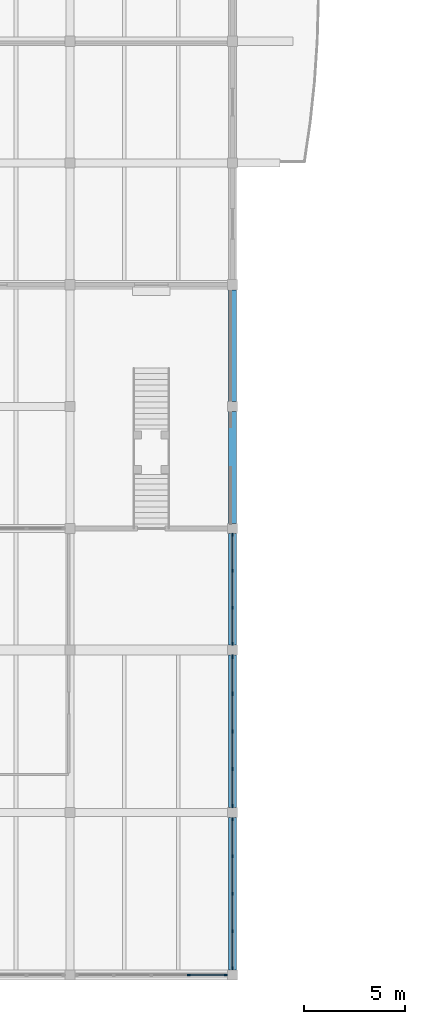
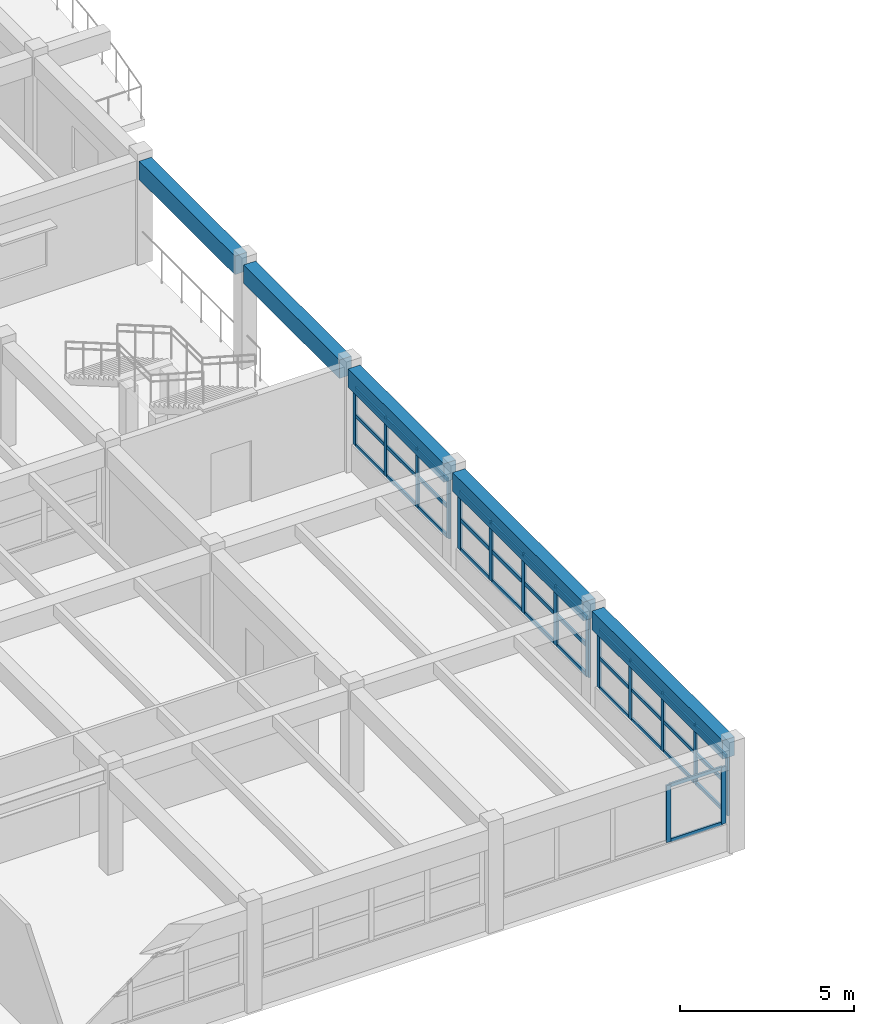
# One storey, part 8 of 89: 51 members, 5 beams, 4 elements without a shape of their own.
"""IFC4 building model written with IfcOpenShell, lengths in metres."""

from ifc_helpers import new_model, si_unit, direction, frame, origin, origin_2d, place, context, subcontext, project, spatial, rectangle, extrude, material, layer, layer_set, material_profile, profile_set, type_object, element, aggregate, save


model = new_model("IFC4")

# Units and contexts
model_context = context("Model", 3, precision=1e-05, world=origin(), true_north=direction((0.0, 1.0)))
body_context = subcontext(model_context, "Body", "Model", "MODEL_VIEW")
ifc_project = project(units=[si_unit("LENGTHUNIT", "METRE"), si_unit("AREAUNIT", "SQUARE_METRE"), si_unit("VOLUMEUNIT", "CUBIC_METRE"), si_unit("PLANEANGLEUNIT", "RADIAN"), si_unit("MASSUNIT", "GRAM", prefix="KILO")], contexts=[model_context])

# Site, building, storey
site_placement = place(None, origin())
site = spatial("IfcSite", under=ifc_project, at=site_placement, CompositionType="ELEMENT")
building_placement = place(site_placement, origin())
building = spatial("IfcBuilding", under=site, at=building_placement, Name="Tonlespit Floodbar School", CompositionType="ELEMENT")
storey_placement = place(building_placement, frame((0.0, 0.0, 4.5)))
storey = spatial("IfcBuildingStorey", under=building, at=storey_placement, Name="L01", CompositionType="ELEMENT", Elevation=4.5)

# Beams
ifc_material_1 = material(Name="Concrete C40/50", Category="concrete")
ifc_material_profile_1 = material_profile(ifc_material_1, rectangle(XDim=0.39990234375, YDim=0.64990234375, at=origin_2d()), Name="RC 400x650")
ifc_profile_set_1 = profile_set([ifc_material_profile_1], Name="Concrete C40/50")
beam_type = type_object("IfcBeamType", Name="Beam_RC_400x650", PredefinedType="BEAM", material=ifc_profile_set_1)
for number, where, z_axis, x_axis, name in (
    (1, (36.0, 4.25, 3.322998046875), (0.0, 1.0, 0.0), (-1.0, 0.0, 0.0), "L01 girder 0712"),
    (2, (36.0, 12.25, 3.322998046875), (0.0, 1.0, 0.0), (-1.0, 0.0, 0.0), "L01 girder 0713"),
):
    element("IfcBeam", number, at=place(storey_placement, frame(where, z_axis=z_axis, x_axis=x_axis)), inside=storey, type_object=beam_type, Name=name, PredefinedType="BEAM", context=body_context, shape_type="SweptSolid", body=[
        extrude(rectangle(XDim=0.39990234375, YDim=0.64990234375, at=origin_2d()), origin(), (0.0, 0.0, 1.0), 7.5),
    ])
for number, where, z_axis, x_axis, name in (
    (3, (36.0, 20.25, 3.322998046875), (0.0, 1.0, 0.0), (-1.0, 0.0, 0.0), "L01 girder 0714"),
    (4, (36.0, 26.25, 3.324951171875), (0.0, 1.0, 0.0), (-1.0, 0.0, 0.0), "L01 girder 0715"),
    (5, (36.0, 32.25, 3.324951171875), (0.0, 1.0, 0.0), (-1.0, 0.0, 0.0), "L01 girder 0716"),
):
    element("IfcBeam", number, at=place(storey_placement, frame(where, z_axis=z_axis, x_axis=x_axis)), inside=storey, type_object=beam_type, Name=name, PredefinedType="BEAM", context=body_context, shape_type="SweptSolid", body=[
        extrude(rectangle(XDim=0.39990234375, YDim=0.64990234375, at=origin_2d()), origin(), (0.0, 0.0, 1.0), 5.5),
    ])

# Curtain wall, members
ifc_material_2 = material(Name="Anodised Aluminium", Category="aluminium")
ifc_layer_1 = layer(ifc_material_2, 0.159912109375)
ifc_layer_set_1 = layer_set([ifc_layer_1], Name="Anodised Aluminium")
curtain_wall_type_1 = type_object("IfcCurtainWallType", Name="CurtainWall_7400x2000", PredefinedType="NOTDEFINED", material=ifc_layer_set_1)
curtain_wall_1_placement = place(storey_placement, origin())
curtain_wall_1 = element("IfcCurtainWall", 6, at=curtain_wall_1_placement, inside=storey, type_object=curtain_wall_type_1, Name="L01 unitised curtain wall 0518", PredefinedType="NOTDEFINED")
ifc_material_profile_2 = material_profile(ifc_material_2, rectangle(XDim=0.06494140625, YDim=0.14990234375, at=origin_2d()), Name="ALU M65x150")
ifc_profile_set_2 = profile_set([ifc_material_profile_2], Name="Anodised Aluminium")
member_type_1 = type_object("IfcMemberType", Name="CW_Mullion_65x150", PredefinedType="MULLION", material=ifc_profile_set_2)
member_1_placement = place(storey_placement, frame((35.677490234375, 4.0, 0.949951171875), z_axis=(0.0, 0.0, 1.0), x_axis=(0.0, -1.0, 0.0)))
member_1 = element("IfcMember", 7, at=member_1_placement, type_object=member_type_1, Name="CW-60 mullion 1", PredefinedType="MULLION", context=body_context, shape_type="SweptSolid", body=[
    extrude(rectangle(XDim=0.06494140625, YDim=0.14990234375, at=origin_2d()), origin(), (0.0, 0.0, 1.0), 1.998046875),
])
member_2_placement = place(storey_placement, frame((33.85498046875, 4.0, 0.949951171875), z_axis=(0.0, 0.0, 1.0), x_axis=(0.0, -1.0, 0.0)))
member_2 = element("IfcMember", 8, at=member_2_placement, type_object=member_type_1, Name="CW-60 mullion 2", PredefinedType="MULLION", context=body_context, shape_type="SweptSolid", body=[
    extrude(rectangle(XDim=0.06494140625, YDim=0.14990234375, at=origin_2d()), origin(), (0.0, 0.0, 1.0), 1.998046875),
])

ifc_layer_2 = layer(ifc_material_2, 0.159912109375)
ifc_layer_set_2 = layer_set([ifc_layer_2], Name="Anodised Aluminium")
curtain_wall_type_2 = type_object("IfcCurtainWallType", Name="CurtainWall_5400x2050", PredefinedType="NOTDEFINED", material=ifc_layer_set_2)
curtain_wall_2_placement = place(storey_placement, origin())
curtain_wall_2 = element("IfcCurtainWall", 9, at=curtain_wall_2_placement, inside=storey, type_object=curtain_wall_type_2, Name="L01 unitised curtain wall 0522", PredefinedType="NOTDEFINED")
member_3_placement = place(storey_placement, frame((36.0, 25.677490234375, 0.949951171875), z_axis=(0.0, 0.0, 1.0), x_axis=(1.0, 0.0, 0.0)))
member_3 = element("IfcMember", 10, at=member_3_placement, type_object=member_type_1, Name="CW-84 mullion 1", PredefinedType="MULLION", context=body_context, shape_type="SweptSolid", body=[
    extrude(rectangle(XDim=0.06494140625, YDim=0.14990234375, at=origin_2d()), origin(), (0.0, 0.0, 1.0), 2.048095703125),
])
member_4_placement = place(storey_placement, frame((36.0, 23.9033203125, 0.949951171875), z_axis=(0.0, 0.0, 1.0), x_axis=(1.0, 0.0, 0.0)))
member_4 = element("IfcMember", 11, at=member_4_placement, type_object=member_type_1, Name="CW-84 mullion 2", PredefinedType="MULLION", context=body_context, shape_type="SweptSolid", body=[
    extrude(rectangle(XDim=0.06494140625, YDim=0.14990234375, at=origin_2d()), origin(), (0.0, 0.0, 1.0), 2.048095703125),
])
member_5_placement = place(storey_placement, frame((36.0, 22.0966796875, 0.949951171875), z_axis=(0.0, 0.0, 1.0), x_axis=(1.0, 0.0, 0.0)))
member_5 = element("IfcMember", 12, at=member_5_placement, type_object=member_type_1, Name="CW-84 mullion 3", PredefinedType="MULLION", context=body_context, shape_type="SweptSolid", body=[
    extrude(rectangle(XDim=0.06494140625, YDim=0.14990234375, at=origin_2d()), origin(), (0.0, 0.0, 1.0), 2.048095703125),
])
member_6_placement = place(storey_placement, frame((36.0, 20.322509765625, 0.949951171875), z_axis=(0.0, 0.0, 1.0), x_axis=(1.0, 0.0, 0.0)))
member_6 = element("IfcMember", 13, at=member_6_placement, type_object=member_type_1, Name="CW-84 mullion 4", PredefinedType="MULLION", context=body_context, shape_type="SweptSolid", body=[
    extrude(rectangle(XDim=0.06494140625, YDim=0.14990234375, at=origin_2d()), origin(), (0.0, 0.0, 1.0), 2.048095703125),
])

ifc_layer_3 = layer(ifc_material_2, 0.159912109375)
ifc_layer_set_3 = layer_set([ifc_layer_3], Name="Anodised Aluminium")
curtain_wall_type_3 = type_object("IfcCurtainWallType", Name="CurtainWall_7400x2050", PredefinedType="NOTDEFINED", material=ifc_layer_set_3)
curtain_wall_3_placement = place(storey_placement, origin())
curtain_wall_3 = element("IfcCurtainWall", 14, at=curtain_wall_3_placement, inside=storey, type_object=curtain_wall_type_3, Name="L01 unitised curtain wall 0524", PredefinedType="NOTDEFINED")
member_7_placement = place(storey_placement, frame((36.0, 11.677490234375, 0.949951171875), z_axis=(0.0, 0.0, 1.0), x_axis=(1.0, 0.0, 0.0)))
member_7 = element("IfcMember", 15, at=member_7_placement, type_object=member_type_1, Name="CW-36 mullion 1", PredefinedType="MULLION", context=body_context, shape_type="SweptSolid", body=[
    extrude(rectangle(XDim=0.06494140625, YDim=0.14990234375, at=origin_2d()), origin(), (0.0, 0.0, 1.0), 2.048095703125),
])
member_8_placement = place(storey_placement, frame((36.0, 9.85498046875, 0.949951171875), z_axis=(0.0, 0.0, 1.0), x_axis=(1.0, 0.0, 0.0)))
member_8 = element("IfcMember", 16, at=member_8_placement, type_object=member_type_1, Name="CW-36 mullion 2", PredefinedType="MULLION", context=body_context, shape_type="SweptSolid", body=[
    extrude(rectangle(XDim=0.06494140625, YDim=0.14990234375, at=origin_2d()), origin(), (0.0, 0.0, 1.0), 2.048095703125),
])
member_9_placement = place(storey_placement, frame((36.0, 8.0, 0.949951171875), z_axis=(0.0, 0.0, 1.0), x_axis=(1.0, 0.0, 0.0)))
member_9 = element("IfcMember", 17, at=member_9_placement, type_object=member_type_1, Name="CW-36 mullion 3", PredefinedType="MULLION", context=body_context, shape_type="SweptSolid", body=[
    extrude(rectangle(XDim=0.06494140625, YDim=0.14990234375, at=origin_2d()), origin(), (0.0, 0.0, 1.0), 2.048095703125),
])
member_10_placement = place(storey_placement, frame((36.0, 6.14501953125, 0.949951171875), z_axis=(0.0, 0.0, 1.0), x_axis=(1.0, 0.0, 0.0)))
member_10 = element("IfcMember", 18, at=member_10_placement, type_object=member_type_1, Name="CW-36 mullion 4", PredefinedType="MULLION", context=body_context, shape_type="SweptSolid", body=[
    extrude(rectangle(XDim=0.06494140625, YDim=0.14990234375, at=origin_2d()), origin(), (0.0, 0.0, 1.0), 2.048095703125),
])
member_11_placement = place(storey_placement, frame((36.0, 4.322509765625, 0.949951171875), z_axis=(0.0, 0.0, 1.0), x_axis=(1.0, 0.0, 0.0)))
member_11 = element("IfcMember", 19, at=member_11_placement, type_object=member_type_1, Name="CW-36 mullion 5", PredefinedType="MULLION", context=body_context, shape_type="SweptSolid", body=[
    extrude(rectangle(XDim=0.06494140625, YDim=0.14990234375, at=origin_2d()), origin(), (0.0, 0.0, 1.0), 2.048095703125),
])

curtain_wall_4_placement = place(storey_placement, origin())
curtain_wall_4 = element("IfcCurtainWall", 20, at=curtain_wall_4_placement, inside=storey, type_object=curtain_wall_type_3, Name="L01 unitised curtain wall 0523", PredefinedType="NOTDEFINED")
ifc_material_profile_3 = material_profile(ifc_material_2, rectangle(XDim=0.06494140625, YDim=0.179931640625, at=origin_2d()), Name="ALU M65x180")
ifc_profile_set_3 = profile_set([ifc_material_profile_3], Name="Anodised Aluminium")
member_type_2 = type_object("IfcMemberType", Name="CW_Mullion_65x180", PredefinedType="MULLION", material=ifc_profile_set_3)
member_12_placement = place(storey_placement, frame((36.0, 19.677490234375, 0.949951171875), z_axis=(0.0, 0.0, 1.0), x_axis=(1.0, 0.0, 0.0)))
member_12 = element("IfcMember", 21, at=member_12_placement, type_object=member_type_2, Name="CW-36 mullion 1", PredefinedType="MULLION", context=body_context, shape_type="SweptSolid", body=[
    extrude(rectangle(XDim=0.06494140625, YDim=0.179931640625, at=origin_2d()), origin(), (0.0, 0.0, 1.0), 2.048095703125),
])
member_13_placement = place(storey_placement, frame((36.0, 17.85498046875, 0.949951171875), z_axis=(0.0, 0.0, 1.0), x_axis=(1.0, 0.0, 0.0)))
member_13 = element("IfcMember", 22, at=member_13_placement, type_object=member_type_2, Name="CW-36 mullion 2", PredefinedType="MULLION", context=body_context, shape_type="SweptSolid", body=[
    extrude(rectangle(XDim=0.06494140625, YDim=0.179931640625, at=origin_2d()), origin(), (0.0, 0.0, 1.0), 2.048095703125),
])
member_14_placement = place(storey_placement, frame((36.0, 16.0, 0.949951171875), z_axis=(0.0, 0.0, 1.0), x_axis=(1.0, 0.0, 0.0)))
member_14 = element("IfcMember", 23, at=member_14_placement, type_object=member_type_2, Name="CW-36 mullion 3", PredefinedType="MULLION", context=body_context, shape_type="SweptSolid", body=[
    extrude(rectangle(XDim=0.06494140625, YDim=0.179931640625, at=origin_2d()), origin(), (0.0, 0.0, 1.0), 2.048095703125),
])
member_15_placement = place(storey_placement, frame((36.0, 14.14501953125, 0.949951171875), z_axis=(0.0, 0.0, 1.0), x_axis=(1.0, 0.0, 0.0)))
member_15 = element("IfcMember", 24, at=member_15_placement, type_object=member_type_2, Name="CW-36 mullion 4", PredefinedType="MULLION", context=body_context, shape_type="SweptSolid", body=[
    extrude(rectangle(XDim=0.06494140625, YDim=0.179931640625, at=origin_2d()), origin(), (0.0, 0.0, 1.0), 2.048095703125),
])
member_16_placement = place(storey_placement, frame((36.0, 12.322509765625, 0.949951171875), z_axis=(0.0, 0.0, 1.0), x_axis=(1.0, 0.0, 0.0)))
member_16 = element("IfcMember", 25, at=member_16_placement, type_object=member_type_2, Name="CW-36 mullion 5", PredefinedType="MULLION", context=body_context, shape_type="SweptSolid", body=[
    extrude(rectangle(XDim=0.06494140625, YDim=0.179931640625, at=origin_2d()), origin(), (0.0, 0.0, 1.0), 2.048095703125),
])

# Member
ifc_material_profile_4 = material_profile(ifc_material_2, rectangle(XDim=0.06494140625, YDim=0.1201171875, at=origin_2d()), Name="ALU T65x120")
ifc_profile_set_4 = profile_set([ifc_material_profile_4], Name="Anodised Aluminium")
member_type_3 = type_object("IfcMemberType", Name="CW_Transom_65x120", PredefinedType="USERDEFINED", material=ifc_profile_set_4)
member_17_placement = place(storey_placement, frame((35.64501953125, 4.0, 0.982421875), z_axis=(-1.0, 0.0, 0.0), x_axis=(0.0, -1.0, 0.0)))
member_17 = element("IfcMember", 26, at=member_17_placement, type_object=member_type_3, Name="CW-60 transom 1.1", ObjectType="TRANSOM", PredefinedType="USERDEFINED", context=body_context, shape_type="SweptSolid", body=[
    extrude(rectangle(XDim=0.06494140625, YDim=0.1201171875, at=origin_2d()), origin(), (0.0, 0.0, 1.0), 1.757568359375),
])

member_18_placement = place(storey_placement, frame((35.64501953125, 4.0, 2.91552734375), z_axis=(-1.0, 0.0, 0.0), x_axis=(0.0, -1.0, 0.0)))
member_18 = element("IfcMember", 27, at=member_18_placement, type_object=member_type_3, Name="CW-60 transom 1.2", ObjectType="TRANSOM", PredefinedType="USERDEFINED", context=body_context, shape_type="SweptSolid", body=[
    extrude(rectangle(XDim=0.06494140625, YDim=0.1201171875, at=origin_2d()), origin(), (0.0, 0.0, 1.0), 1.757568359375),
])

aggregate(curtain_wall_1, [member_1, member_2, member_17, member_18])

member_19_placement = place(storey_placement, frame((36.0, 25.64501953125, 0.982421875), z_axis=(0.0, -1.0, 0.0), x_axis=(1.0, 0.0, 0.0)))
member_19 = element("IfcMember", 28, at=member_19_placement, type_object=member_type_3, Name="CW-84 transom 1.1", ObjectType="TRANSOM", PredefinedType="USERDEFINED", context=body_context, shape_type="SweptSolid", body=[
    extrude(rectangle(XDim=0.06494140625, YDim=0.1201171875, at=origin_2d()), origin(), (0.0, 0.0, 1.0), 1.709228515625),
])

member_20_placement = place(storey_placement, frame((36.0, 25.64501953125, 2.014892578125), z_axis=(0.0, -1.0, 0.0), x_axis=(1.0, 0.0, 0.0)))
member_20 = element("IfcMember", 29, at=member_20_placement, type_object=member_type_3, Name="CW-84 transom 1.2", ObjectType="TRANSOM", PredefinedType="USERDEFINED", context=body_context, shape_type="SweptSolid", body=[
    extrude(rectangle(XDim=0.06494140625, YDim=0.1201171875, at=origin_2d()), origin(), (0.0, 0.0, 1.0), 1.709228515625),
])

member_21_placement = place(storey_placement, frame((36.0, 25.64501953125, 2.965576171875), z_axis=(0.0, -1.0, 0.0), x_axis=(1.0, 0.0, 0.0)))
member_21 = element("IfcMember", 30, at=member_21_placement, type_object=member_type_3, Name="CW-84 transom 1.3", ObjectType="TRANSOM", PredefinedType="USERDEFINED", context=body_context, shape_type="SweptSolid", body=[
    extrude(rectangle(XDim=0.06494140625, YDim=0.1201171875, at=origin_2d()), origin(), (0.0, 0.0, 1.0), 1.709228515625),
])

member_22_placement = place(storey_placement, frame((36.0, 23.870849609375, 0.982421875), z_axis=(0.0, -1.0, 0.0), x_axis=(1.0, 0.0, 0.0)))
member_22 = element("IfcMember", 31, at=member_22_placement, type_object=member_type_3, Name="CW-84 transom 2.1", ObjectType="TRANSOM", PredefinedType="USERDEFINED", context=body_context, shape_type="SweptSolid", body=[
    extrude(rectangle(XDim=0.06494140625, YDim=0.1201171875, at=origin_2d()), origin(), (0.0, 0.0, 1.0), 1.74169921875),
])

member_23_placement = place(storey_placement, frame((36.0, 23.870849609375, 2.014892578125), z_axis=(0.0, -1.0, 0.0), x_axis=(1.0, 0.0, 0.0)))
member_23 = element("IfcMember", 32, at=member_23_placement, type_object=member_type_3, Name="CW-84 transom 2.2", ObjectType="TRANSOM", PredefinedType="USERDEFINED", context=body_context, shape_type="SweptSolid", body=[
    extrude(rectangle(XDim=0.06494140625, YDim=0.1201171875, at=origin_2d()), origin(), (0.0, 0.0, 1.0), 1.74169921875),
])

member_24_placement = place(storey_placement, frame((36.0, 23.870849609375, 2.965576171875), z_axis=(0.0, -1.0, 0.0), x_axis=(1.0, 0.0, 0.0)))
member_24 = element("IfcMember", 33, at=member_24_placement, type_object=member_type_3, Name="CW-84 transom 2.3", ObjectType="TRANSOM", PredefinedType="USERDEFINED", context=body_context, shape_type="SweptSolid", body=[
    extrude(rectangle(XDim=0.06494140625, YDim=0.1201171875, at=origin_2d()), origin(), (0.0, 0.0, 1.0), 1.74169921875),
])

member_25_placement = place(storey_placement, frame((36.0, 22.064208984375, 0.982421875), z_axis=(0.0, -1.0, 0.0), x_axis=(1.0, 0.0, 0.0)))
member_25 = element("IfcMember", 34, at=member_25_placement, type_object=member_type_3, Name="CW-84 transom 3.1", ObjectType="TRANSOM", PredefinedType="USERDEFINED", context=body_context, shape_type="SweptSolid", body=[
    extrude(rectangle(XDim=0.06494140625, YDim=0.1201171875, at=origin_2d()), origin(), (0.0, 0.0, 1.0), 1.709228515625),
])

member_26_placement = place(storey_placement, frame((36.0, 22.064208984375, 2.014892578125), z_axis=(0.0, -1.0, 0.0), x_axis=(1.0, 0.0, 0.0)))
member_26 = element("IfcMember", 35, at=member_26_placement, type_object=member_type_3, Name="CW-84 transom 3.2", ObjectType="TRANSOM", PredefinedType="USERDEFINED", context=body_context, shape_type="SweptSolid", body=[
    extrude(rectangle(XDim=0.06494140625, YDim=0.1201171875, at=origin_2d()), origin(), (0.0, 0.0, 1.0), 1.709228515625),
])

member_27_placement = place(storey_placement, frame((36.0, 22.064208984375, 2.965576171875), z_axis=(0.0, -1.0, 0.0), x_axis=(1.0, 0.0, 0.0)))
member_27 = element("IfcMember", 36, at=member_27_placement, type_object=member_type_3, Name="CW-84 transom 3.3", ObjectType="TRANSOM", PredefinedType="USERDEFINED", context=body_context, shape_type="SweptSolid", body=[
    extrude(rectangle(XDim=0.06494140625, YDim=0.1201171875, at=origin_2d()), origin(), (0.0, 0.0, 1.0), 1.709228515625),
])

aggregate(curtain_wall_2, [member_3, member_4, member_5, member_6, member_19, member_20, member_21, member_22, member_23, member_24, member_25, member_26, member_27])

member_28_placement = place(storey_placement, frame((36.0, 11.64501953125, 0.982421875), z_axis=(0.0, -1.0, 0.0), x_axis=(1.0, 0.0, 0.0)))
member_28 = element("IfcMember", 37, at=member_28_placement, type_object=member_type_3, Name="CW-36 transom 1.1", ObjectType="TRANSOM", PredefinedType="USERDEFINED", context=body_context, shape_type="SweptSolid", body=[
    extrude(rectangle(XDim=0.06494140625, YDim=0.1201171875, at=origin_2d()), origin(), (0.0, 0.0, 1.0), 1.757568359375),
])

member_29_placement = place(storey_placement, frame((36.0, 11.64501953125, 2.014892578125), z_axis=(0.0, -1.0, 0.0), x_axis=(1.0, 0.0, 0.0)))
member_29 = element("IfcMember", 38, at=member_29_placement, type_object=member_type_3, Name="CW-36 transom 1.2", ObjectType="TRANSOM", PredefinedType="USERDEFINED", context=body_context, shape_type="SweptSolid", body=[
    extrude(rectangle(XDim=0.06494140625, YDim=0.1201171875, at=origin_2d()), origin(), (0.0, 0.0, 1.0), 1.757568359375),
])

member_30_placement = place(storey_placement, frame((36.0, 11.64501953125, 2.965576171875), z_axis=(0.0, -1.0, 0.0), x_axis=(1.0, 0.0, 0.0)))
member_30 = element("IfcMember", 39, at=member_30_placement, type_object=member_type_3, Name="CW-36 transom 1.3", ObjectType="TRANSOM", PredefinedType="USERDEFINED", context=body_context, shape_type="SweptSolid", body=[
    extrude(rectangle(XDim=0.06494140625, YDim=0.1201171875, at=origin_2d()), origin(), (0.0, 0.0, 1.0), 1.757568359375),
])

member_31_placement = place(storey_placement, frame((36.0, 9.822509765625, 0.982421875), z_axis=(0.0, -1.0, 0.0), x_axis=(1.0, 0.0, 0.0)))
member_31 = element("IfcMember", 40, at=member_31_placement, type_object=member_type_3, Name="CW-36 transom 2.1", ObjectType="TRANSOM", PredefinedType="USERDEFINED", context=body_context, shape_type="SweptSolid", body=[
    extrude(rectangle(XDim=0.06494140625, YDim=0.1201171875, at=origin_2d()), origin(), (0.0, 0.0, 1.0), 1.7900390625),
])

member_32_placement = place(storey_placement, frame((36.0, 9.822509765625, 2.014892578125), z_axis=(0.0, -1.0, 0.0), x_axis=(1.0, 0.0, 0.0)))
member_32 = element("IfcMember", 41, at=member_32_placement, type_object=member_type_3, Name="CW-36 transom 2.2", ObjectType="TRANSOM", PredefinedType="USERDEFINED", context=body_context, shape_type="SweptSolid", body=[
    extrude(rectangle(XDim=0.06494140625, YDim=0.1201171875, at=origin_2d()), origin(), (0.0, 0.0, 1.0), 1.7900390625),
])

member_33_placement = place(storey_placement, frame((36.0, 9.822509765625, 2.965576171875), z_axis=(0.0, -1.0, 0.0), x_axis=(1.0, 0.0, 0.0)))
member_33 = element("IfcMember", 42, at=member_33_placement, type_object=member_type_3, Name="CW-36 transom 2.3", ObjectType="TRANSOM", PredefinedType="USERDEFINED", context=body_context, shape_type="SweptSolid", body=[
    extrude(rectangle(XDim=0.06494140625, YDim=0.1201171875, at=origin_2d()), origin(), (0.0, 0.0, 1.0), 1.7900390625),
])

member_34_placement = place(storey_placement, frame((36.0, 7.967529296875, 0.982421875), z_axis=(0.0, -1.0, 0.0), x_axis=(1.0, 0.0, 0.0)))
member_34 = element("IfcMember", 43, at=member_34_placement, type_object=member_type_3, Name="CW-36 transom 3.1", ObjectType="TRANSOM", PredefinedType="USERDEFINED", context=body_context, shape_type="SweptSolid", body=[
    extrude(rectangle(XDim=0.06494140625, YDim=0.1201171875, at=origin_2d()), origin(), (0.0, 0.0, 1.0), 1.7900390625),
])

member_35_placement = place(storey_placement, frame((36.0, 7.967529296875, 2.014892578125), z_axis=(0.0, -1.0, 0.0), x_axis=(1.0, 0.0, 0.0)))
member_35 = element("IfcMember", 44, at=member_35_placement, type_object=member_type_3, Name="CW-36 transom 3.2", ObjectType="TRANSOM", PredefinedType="USERDEFINED", context=body_context, shape_type="SweptSolid", body=[
    extrude(rectangle(XDim=0.06494140625, YDim=0.1201171875, at=origin_2d()), origin(), (0.0, 0.0, 1.0), 1.7900390625),
])

member_36_placement = place(storey_placement, frame((36.0, 7.967529296875, 2.965576171875), z_axis=(0.0, -1.0, 0.0), x_axis=(1.0, 0.0, 0.0)))
member_36 = element("IfcMember", 45, at=member_36_placement, type_object=member_type_3, Name="CW-36 transom 3.3", ObjectType="TRANSOM", PredefinedType="USERDEFINED", context=body_context, shape_type="SweptSolid", body=[
    extrude(rectangle(XDim=0.06494140625, YDim=0.1201171875, at=origin_2d()), origin(), (0.0, 0.0, 1.0), 1.7900390625),
])

member_37_placement = place(storey_placement, frame((36.0, 6.112548828125, 0.982421875), z_axis=(0.0, -1.0, 0.0), x_axis=(1.0, 0.0, 0.0)))
member_37 = element("IfcMember", 46, at=member_37_placement, type_object=member_type_3, Name="CW-36 transom 4.1", ObjectType="TRANSOM", PredefinedType="USERDEFINED", context=body_context, shape_type="SweptSolid", body=[
    extrude(rectangle(XDim=0.06494140625, YDim=0.1201171875, at=origin_2d()), origin(), (0.0, 0.0, 1.0), 1.757568359375),
])

member_38_placement = place(storey_placement, frame((36.0, 6.112548828125, 2.014892578125), z_axis=(0.0, -1.0, 0.0), x_axis=(1.0, 0.0, 0.0)))
member_38 = element("IfcMember", 47, at=member_38_placement, type_object=member_type_3, Name="CW-36 transom 4.2", ObjectType="TRANSOM", PredefinedType="USERDEFINED", context=body_context, shape_type="SweptSolid", body=[
    extrude(rectangle(XDim=0.06494140625, YDim=0.1201171875, at=origin_2d()), origin(), (0.0, 0.0, 1.0), 1.757568359375),
])

member_39_placement = place(storey_placement, frame((36.0, 6.112548828125, 2.965576171875), z_axis=(0.0, -1.0, 0.0), x_axis=(1.0, 0.0, 0.0)))
member_39 = element("IfcMember", 48, at=member_39_placement, type_object=member_type_3, Name="CW-36 transom 4.3", ObjectType="TRANSOM", PredefinedType="USERDEFINED", context=body_context, shape_type="SweptSolid", body=[
    extrude(rectangle(XDim=0.06494140625, YDim=0.1201171875, at=origin_2d()), origin(), (0.0, 0.0, 1.0), 1.757568359375),
])

aggregate(curtain_wall_3, [member_7, member_8, member_9, member_10, member_11, member_28, member_29, member_30, member_31, member_32, member_33, member_34, member_35, member_36, member_37, member_38, member_39])

ifc_material_profile_5 = material_profile(ifc_material_2, rectangle(XDim=0.06494140625, YDim=0.139892578125, at=origin_2d()), Name="ALU T65x140")
ifc_profile_set_5 = profile_set([ifc_material_profile_5], Name="Anodised Aluminium")
member_type_4 = type_object("IfcMemberType", Name="CW_Transom_65x140", PredefinedType="USERDEFINED", material=ifc_profile_set_5)
member_40_placement = place(storey_placement, frame((36.0, 19.64501953125, 0.982421875), z_axis=(0.0, -1.0, 0.0), x_axis=(1.0, 0.0, 0.0)))
member_40 = element("IfcMember", 49, at=member_40_placement, type_object=member_type_4, Name="CW-36 transom 1.1", ObjectType="TRANSOM", PredefinedType="USERDEFINED", context=body_context, shape_type="SweptSolid", body=[
    extrude(rectangle(XDim=0.06494140625, YDim=0.139892578125, at=origin_2d()), origin(), (0.0, 0.0, 1.0), 1.757568359375),
])

member_41_placement = place(storey_placement, frame((36.0, 19.64501953125, 2.014892578125), z_axis=(0.0, -1.0, 0.0), x_axis=(1.0, 0.0, 0.0)))
member_41 = element("IfcMember", 50, at=member_41_placement, type_object=member_type_4, Name="CW-36 transom 1.2", ObjectType="TRANSOM", PredefinedType="USERDEFINED", context=body_context, shape_type="SweptSolid", body=[
    extrude(rectangle(XDim=0.06494140625, YDim=0.139892578125, at=origin_2d()), origin(), (0.0, 0.0, 1.0), 1.757568359375),
])

member_42_placement = place(storey_placement, frame((36.0, 19.64501953125, 2.965576171875), z_axis=(0.0, -1.0, 0.0), x_axis=(1.0, 0.0, 0.0)))
member_42 = element("IfcMember", 51, at=member_42_placement, type_object=member_type_4, Name="CW-36 transom 1.3", ObjectType="TRANSOM", PredefinedType="USERDEFINED", context=body_context, shape_type="SweptSolid", body=[
    extrude(rectangle(XDim=0.06494140625, YDim=0.139892578125, at=origin_2d()), origin(), (0.0, 0.0, 1.0), 1.757568359375),
])

member_43_placement = place(storey_placement, frame((36.0, 17.822509765625, 0.982421875), z_axis=(0.0, -1.0, 0.0), x_axis=(1.0, 0.0, 0.0)))
member_43 = element("IfcMember", 52, at=member_43_placement, type_object=member_type_4, Name="CW-36 transom 2.1", ObjectType="TRANSOM", PredefinedType="USERDEFINED", context=body_context, shape_type="SweptSolid", body=[
    extrude(rectangle(XDim=0.06494140625, YDim=0.139892578125, at=origin_2d()), origin(), (0.0, 0.0, 1.0), 1.7900390625),
])

member_44_placement = place(storey_placement, frame((36.0, 17.822509765625, 2.014892578125), z_axis=(0.0, -1.0, 0.0), x_axis=(1.0, 0.0, 0.0)))
member_44 = element("IfcMember", 53, at=member_44_placement, type_object=member_type_4, Name="CW-36 transom 2.2", ObjectType="TRANSOM", PredefinedType="USERDEFINED", context=body_context, shape_type="SweptSolid", body=[
    extrude(rectangle(XDim=0.06494140625, YDim=0.139892578125, at=origin_2d()), origin(), (0.0, 0.0, 1.0), 1.7900390625),
])

member_45_placement = place(storey_placement, frame((36.0, 17.822509765625, 2.965576171875), z_axis=(0.0, -1.0, 0.0), x_axis=(1.0, 0.0, 0.0)))
member_45 = element("IfcMember", 54, at=member_45_placement, type_object=member_type_4, Name="CW-36 transom 2.3", ObjectType="TRANSOM", PredefinedType="USERDEFINED", context=body_context, shape_type="SweptSolid", body=[
    extrude(rectangle(XDim=0.06494140625, YDim=0.139892578125, at=origin_2d()), origin(), (0.0, 0.0, 1.0), 1.7900390625),
])

member_46_placement = place(storey_placement, frame((36.0, 15.967529296875, 0.982421875), z_axis=(0.0, -1.0, 0.0), x_axis=(1.0, 0.0, 0.0)))
member_46 = element("IfcMember", 55, at=member_46_placement, type_object=member_type_4, Name="CW-36 transom 3.1", ObjectType="TRANSOM", PredefinedType="USERDEFINED", context=body_context, shape_type="SweptSolid", body=[
    extrude(rectangle(XDim=0.06494140625, YDim=0.139892578125, at=origin_2d()), origin(), (0.0, 0.0, 1.0), 1.7900390625),
])

member_47_placement = place(storey_placement, frame((36.0, 15.967529296875, 2.014892578125), z_axis=(0.0, -1.0, 0.0), x_axis=(1.0, 0.0, 0.0)))
member_47 = element("IfcMember", 56, at=member_47_placement, type_object=member_type_4, Name="CW-36 transom 3.2", ObjectType="TRANSOM", PredefinedType="USERDEFINED", context=body_context, shape_type="SweptSolid", body=[
    extrude(rectangle(XDim=0.06494140625, YDim=0.139892578125, at=origin_2d()), origin(), (0.0, 0.0, 1.0), 1.7900390625),
])

member_48_placement = place(storey_placement, frame((36.0, 15.967529296875, 2.965576171875), z_axis=(0.0, -1.0, 0.0), x_axis=(1.0, 0.0, 0.0)))
member_48 = element("IfcMember", 57, at=member_48_placement, type_object=member_type_4, Name="CW-36 transom 3.3", ObjectType="TRANSOM", PredefinedType="USERDEFINED", context=body_context, shape_type="SweptSolid", body=[
    extrude(rectangle(XDim=0.06494140625, YDim=0.139892578125, at=origin_2d()), origin(), (0.0, 0.0, 1.0), 1.7900390625),
])

member_49_placement = place(storey_placement, frame((36.0, 14.112548828125, 0.982421875), z_axis=(0.0, -1.0, 0.0), x_axis=(1.0, 0.0, 0.0)))
member_49 = element("IfcMember", 58, at=member_49_placement, type_object=member_type_4, Name="CW-36 transom 4.1", ObjectType="TRANSOM", PredefinedType="USERDEFINED", context=body_context, shape_type="SweptSolid", body=[
    extrude(rectangle(XDim=0.06494140625, YDim=0.139892578125, at=origin_2d()), origin(), (0.0, 0.0, 1.0), 1.757568359375),
])

member_50_placement = place(storey_placement, frame((36.0, 14.112548828125, 2.014892578125), z_axis=(0.0, -1.0, 0.0), x_axis=(1.0, 0.0, 0.0)))
member_50 = element("IfcMember", 59, at=member_50_placement, type_object=member_type_4, Name="CW-36 transom 4.2", ObjectType="TRANSOM", PredefinedType="USERDEFINED", context=body_context, shape_type="SweptSolid", body=[
    extrude(rectangle(XDim=0.06494140625, YDim=0.139892578125, at=origin_2d()), origin(), (0.0, 0.0, 1.0), 1.757568359375),
])

member_51_placement = place(storey_placement, frame((36.0, 14.112548828125, 2.965576171875), z_axis=(0.0, -1.0, 0.0), x_axis=(1.0, 0.0, 0.0)))
member_51 = element("IfcMember", 60, at=member_51_placement, type_object=member_type_4, Name="CW-36 transom 4.3", ObjectType="TRANSOM", PredefinedType="USERDEFINED", context=body_context, shape_type="SweptSolid", body=[
    extrude(rectangle(XDim=0.06494140625, YDim=0.139892578125, at=origin_2d()), origin(), (0.0, 0.0, 1.0), 1.757568359375),
])

aggregate(curtain_wall_4, [member_12, member_13, member_14, member_15, member_16, member_40, member_41, member_42, member_43, member_44, member_45, member_46, member_47, member_48, member_49, member_50, member_51])

save(model, "model.ifc")
